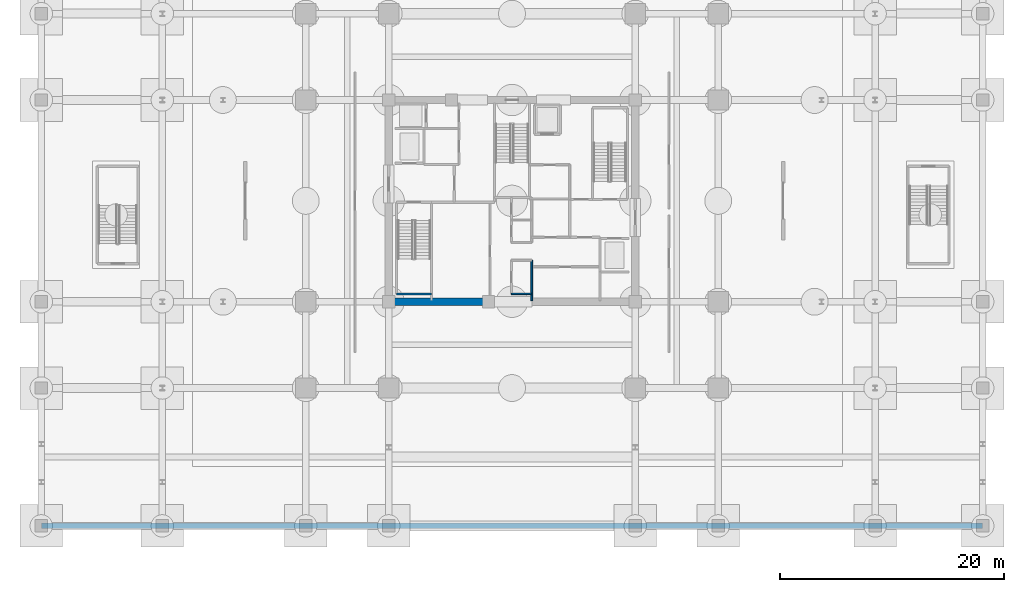
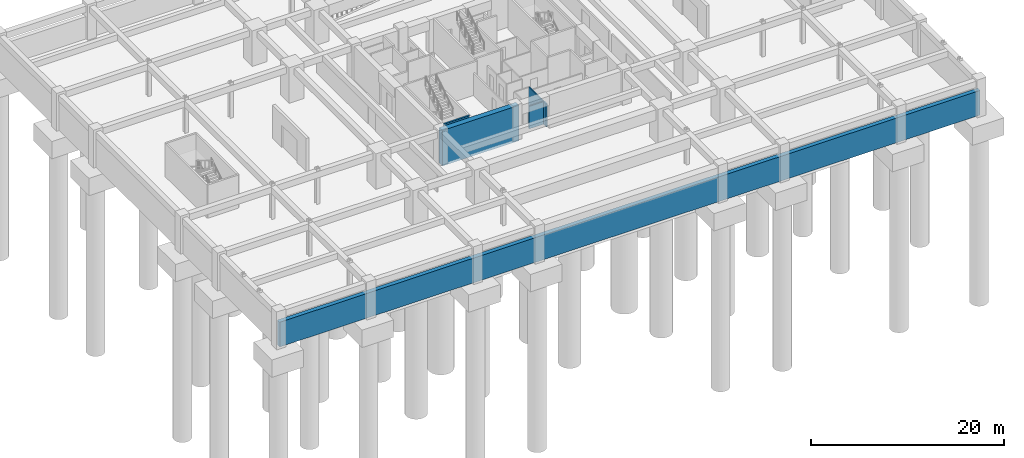
# One storey, part 8 of 17: 5 walls.
"""IFC4 building model written with IfcOpenShell, lengths in metres."""

from ifc_helpers import new_model, si_unit, direction, frame, frame_2d, origin, place, context, subcontext, project, spatial, rectangle, extrude, material, layer, layer_set, type_object, element, save


model = new_model("IFC4")

# Units and contexts
model_context = context("Model", 3, precision=1e-05, world=origin(), true_north=direction((0.0, 1.0)))
body_context = subcontext(model_context, "Body", "Model", "MODEL_VIEW")
ifc_project = project(units=[si_unit("LENGTHUNIT", "METRE"), si_unit("AREAUNIT", "SQUARE_METRE"), si_unit("VOLUMEUNIT", "CUBIC_METRE"), si_unit("PLANEANGLEUNIT", "RADIAN"), si_unit("MASSUNIT", "GRAM", prefix="KILO")], contexts=[model_context])

# Site, building, storey
site_placement = place(None, origin())
site = spatial("IfcSite", under=ifc_project, at=site_placement, CompositionType="ELEMENT")
building_placement = place(site_placement, origin())
building = spatial("IfcBuilding", under=site, at=building_placement, Name="Kovane Verandah Tower", CompositionType="ELEMENT")
storey_placement = place(building_placement, frame((0.0, 0.0, -9.0)))
storey = spatial("IfcBuildingStorey", under=building, at=storey_placement, Name="B2", CompositionType="ELEMENT", Elevation=-9.0)

# Walls
ifc_material_1 = material(Name="Fire-Rated Gypsum Stud Partition", Category="gypsum")
ifc_layer_1 = layer(ifc_material_1, 0.14990234375)
ifc_layer_set_1 = layer_set([ifc_layer_1], Name="Fire-Rated Gypsum Stud Partition")
wall_type_1 = type_object("IfcWallType", Name="WL-COR-150", PredefinedType="PARTITIONING", material=ifc_layer_set_1)
wall_1_placement = place(storey_placement, frame((39.949951171875, 19.199951171875, 0.0), z_axis=(0.0, 0.0, 1.0), x_axis=(1.0, 0.0, 0.0)))
element("IfcWall", 1, at=wall_1_placement, inside=storey, type_object=wall_type_1, Name="B2 Central Core Strip South Wall", PredefinedType="PARTITIONING", context=body_context, shape_type="SweptSolid", body=[
    extrude(rectangle(XDim=1.81005859375, YDim=0.14990234375, at=frame_2d((0.905029296875, 0.0))), origin(), (0.0, 0.0, 1.0), 2.85009765625),
])
wall_2_placement = place(storey_placement, frame((41.760009765625, 18.60009765625, 0.0), z_axis=(0.0, 0.0, 1.0), x_axis=(0.0, 1.0, 0.0)))
element("IfcWall", 2, at=wall_2_placement, inside=storey, type_object=wall_type_1, Name="B2 Central Core Strip Lower East Wall", PredefinedType="PARTITIONING", context=body_context, shape_type="SweptSolid", body=[
    extrude(rectangle(XDim=3.599853515625, YDim=0.14990234375, at=frame_2d((1.7998046875, 0.0))), origin(), (0.0, 0.0, 1.0), 2.85009765625),
])
ifc_material_2 = material(Name="Concrete C80/95", Category="concrete")
ifc_layer_2 = layer(ifc_material_2, 0.64990234375)
ifc_layer_set_2 = layer_set([ifc_layer_2], Name="Concrete C80/95")
wall_type_2 = type_object("IfcWallType", Name="WL-CORE-650", PredefinedType="SHEAR", material=ifc_layer_set_2)
wall_3_placement = place(storey_placement, frame((29.0, 18.5, -0.300048828125), z_axis=(0.0, 0.0, 1.0), x_axis=(1.0, 0.0, 0.0)))
element("IfcWall", 3, at=wall_3_placement, inside=storey, type_object=wall_type_2, Name="B2 Core Shear Wall CS-1", PredefinedType="SHEAR", context=body_context, shape_type="SweptSolid", body=[
    extrude(rectangle(XDim=9.199951171875, YDim=0.64990234375, at=frame_2d((4.60009765625, 0.0))), origin(), (0.0, 0.0, 1.0), 4.5),
])
ifc_material_3 = material(Name="Concrete C45/55", Category="concrete")
ifc_layer_3 = layer(ifc_material_3, 0.5)
ifc_layer_set_3 = layer_set([ifc_layer_3], Name="Concrete C45/55")
wall_type_3 = type_object("IfcWallType", Name="WL-RET-500", PredefinedType="USERDEFINED", material=ifc_layer_set_3)
wall_4_placement = place(storey_placement, frame((-2.0, -1.5, -0.300048828125), z_axis=(0.0, 0.0, 1.0), x_axis=(1.0, 0.0, 0.0)))
element("IfcWall", 4, at=wall_4_placement, inside=storey, type_object=wall_type_3, Name="B2 Basement Perimeter Wall RS", ObjectType="RETAININGWALL", PredefinedType="USERDEFINED", context=body_context, shape_type="SweptSolid", body=[
    extrude(rectangle(XDim=84.0, YDim=0.5, at=frame_2d((42.0, 0.0))), origin(), (0.0, 0.0, 1.0), 3.130126953125),
])
ifc_layer_4 = layer(ifc_material_3, 0.199951171875)
ifc_layer_set_4 = layer_set([ifc_layer_4], Name="Concrete C45/55")
wall_type_4 = type_object("IfcWallType", Name="WL-SHAFT-200", PredefinedType="SOLIDWALL", material=ifc_layer_set_4)
wall_5_placement = place(storey_placement, frame((29.699951171875, 19.199951171875, -0.300048828125), z_axis=(0.0, 0.0, 1.0), x_axis=(1.0, 0.0, 0.0)))
element("IfcWall", 5, at=wall_5_placement, inside=storey, type_object=wall_type_4, Name="W-B2-ST01-S", PredefinedType="SOLIDWALL", context=body_context, shape_type="SweptSolid", body=[
    extrude(rectangle(XDim=3.1201171875, YDim=0.199951171875, at=frame_2d((1.56005859375, 0.0))), origin(), (0.0, 0.0, 1.0), 4.5),
])

save(model, "model.ifc")
